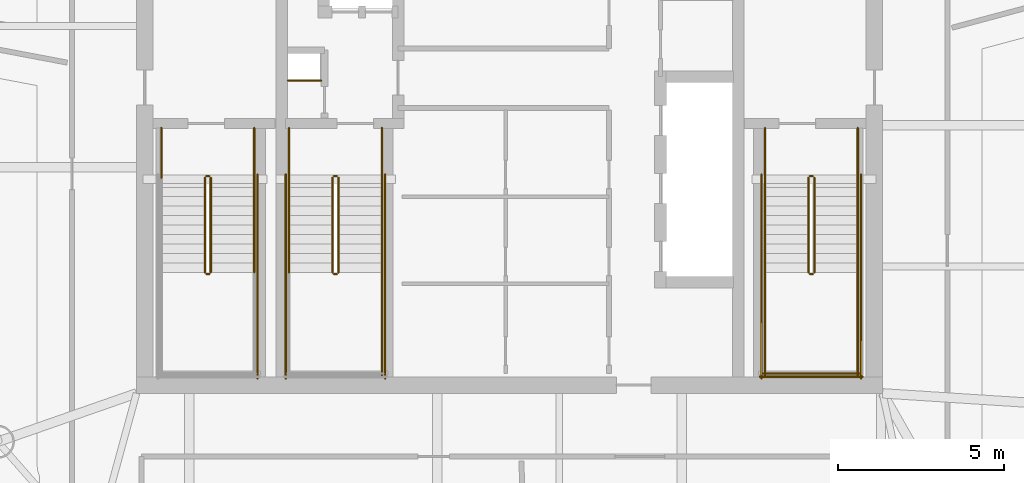
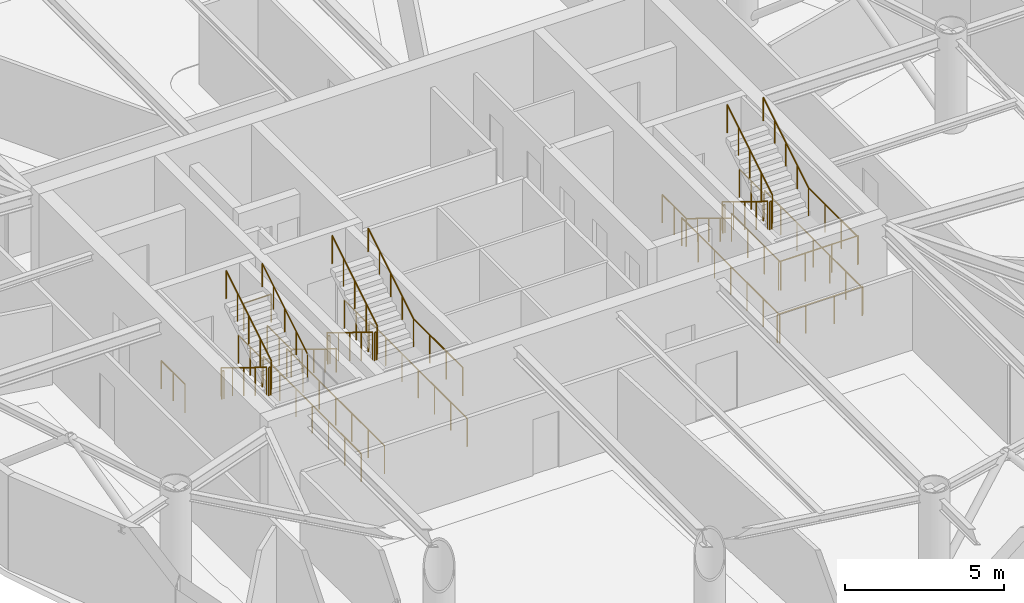
# One storey, part 19 of 20: 34 railings.
"""IFC4 building model written with IfcOpenShell, lengths in metres."""

from ifc_helpers import new_model, si_unit, direction, frame, origin, origin_2d, place, context, subcontext, project, spatial, circle, extrude, material, type_object, element, save


model = new_model("IFC4")

# Units and contexts
model_context = context("Model", 3, precision=1e-05, world=origin(), true_north=direction((0.0, 1.0)))
body_context = subcontext(model_context, "Body", "Model", "MODEL_VIEW")
ifc_project = project(units=[si_unit("LENGTHUNIT", "METRE"), si_unit("AREAUNIT", "SQUARE_METRE"), si_unit("VOLUMEUNIT", "CUBIC_METRE"), si_unit("PLANEANGLEUNIT", "RADIAN"), si_unit("MASSUNIT", "GRAM", prefix="KILO")], contexts=[model_context])

# Site, building, storey
site_placement = place(None, origin())
site = spatial("IfcSite", under=ifc_project, at=site_placement, CompositionType="ELEMENT")
building_placement = place(site_placement, origin())
building = spatial("IfcBuilding", under=site, at=building_placement, Name="Bramvorn Convention Spire", CompositionType="ELEMENT")
storey_placement = place(building_placement, frame((0.0, 0.0, 269.0)))
storey = spatial("IfcBuildingStorey", under=building, at=storey_placement, Name="L68", CompositionType="ELEMENT", Elevation=269.0)

# Railings
ifc_material_1 = material(Name="Painted Steel Balustrade & Guardrail", Category="steel")
railing_type_1 = type_object("IfcRailingType", Name="RL-STAIR-GUARD-1100", PredefinedType="GUARDRAIL", material=ifc_material_1)
railing_1_placement = place(storey_placement, frame((28.81005859375, 25.050048828125, 0.175048828125)))
element("IfcRailing", 1, at=railing_1_placement, inside=storey, type_object=railing_type_1, Name="L68 ST1 stair guard 1", PredefinedType="GUARDRAIL", context=body_context, shape_type="SweptSolid", body=[
    extrude(circle(Radius=0.02392578125, at=origin_2d()), frame((0.0, 0.0, 1.076171875), z_axis=(0.0, -0.852179220489, 0.52325001306), x_axis=(1.0, 0.0, 0.0)), (0.0, 0.0, 1.0), 3.344482421875),
    extrude(circle(Radius=0.02099609375, at=origin_2d()), origin(), (0.0, 0.0, 1.0), 1.052001953125),
    extrude(circle(Radius=0.02099609375, at=origin_2d()), frame((0.0, -0.71240234375, 0.4375)), (0.0, 0.0, 1.0), 1.052001953125),
    extrude(circle(Radius=0.02099609375, at=origin_2d()), frame((0.0, -1.425048828125, 0.875)), (0.0, 0.0, 1.0), 1.052001953125),
    extrude(circle(Radius=0.02099609375, at=origin_2d()), frame((0.0, -2.1376953125, 1.3125)), (0.0, 0.0, 1.0), 1.052001953125),
    extrude(circle(Radius=0.02099609375, at=origin_2d()), frame((0.0, -2.85009765625, 1.75)), (0.0, 0.0, 1.0), 1.052001953125),
])
railing_2_placement = place(storey_placement, frame((28.860107421875, 22.14990234375, 1.925048828125)))
element("IfcRailing", 2, at=railing_2_placement, inside=storey, type_object=railing_type_1, Name="L68 ST1 stair guard 2", PredefinedType="GUARDRAIL", context=body_context, shape_type="SweptSolid", body=[
    extrude(circle(Radius=0.02392578125, at=origin_2d()), frame((0.0, 0.0, 1.076171875), z_axis=(1.0, 0.0, 0.0), x_axis=(0.0, 1.0, 0.0)), (0.0, 0.0, 1.0), 0.079833984375),
    extrude(circle(Radius=0.02099609375, at=origin_2d()), origin(), (0.0, 0.0, 1.0), 1.052001953125),
    extrude(circle(Radius=0.02099609375, at=origin_2d()), frame((0.079833984375, 0.0, 0.0)), (0.0, 0.0, 1.0), 1.052001953125),
])
railing_3_placement = place(storey_placement, frame((28.989990234375, 22.199951171875, 2.10009765625)))
element("IfcRailing", 3, at=railing_3_placement, inside=storey, type_object=railing_type_1, Name="L68 ST1 stair guard 6", PredefinedType="GUARDRAIL", context=body_context, shape_type="SweptSolid", body=[
    extrude(circle(Radius=0.02392578125, at=origin_2d()), frame((0.0, 0.0, 1.076171875), z_axis=(0.0, 0.852179220489, 0.52325001306), x_axis=(-1.0, 0.0, 0.0)), (0.0, 0.0, 1.0), 3.344482421875),
    extrude(circle(Radius=0.02099609375, at=origin_2d()), origin(), (0.0, 0.0, 1.0), 1.052001953125),
    extrude(circle(Radius=0.02099609375, at=origin_2d()), frame((0.0, 0.71240234375, 0.4375)), (0.0, 0.0, 1.0), 1.052001953125),
    extrude(circle(Radius=0.02099609375, at=origin_2d()), frame((0.0, 1.425048828125, 0.875)), (0.0, 0.0, 1.0), 1.052001953125),
    extrude(circle(Radius=0.02099609375, at=origin_2d()), frame((0.0, 2.1376953125, 1.3125)), (0.0, 0.0, 1.0), 1.052001953125),
    extrude(circle(Radius=0.02099609375, at=origin_2d()), frame((0.0, 2.85009765625, 1.75)), (0.0, 0.0, 1.0), 1.052001953125),
])
railing_4_placement = place(storey_placement, frame((28.860107421875, 25.10009765625, 0.0)))
element("IfcRailing", 4, at=railing_4_placement, inside=storey, type_object=railing_type_1, Name="L68 ST1 stair guard 7", PredefinedType="GUARDRAIL", context=body_context, shape_type="SweptSolid", body=[
    extrude(circle(Radius=0.02392578125, at=origin_2d()), frame((0.0, 0.0, 1.076171875), z_axis=(1.0, 0.0, 0.0), x_axis=(0.0, 1.0, 0.0)), (0.0, 0.0, 1.0), 0.079833984375),
    extrude(circle(Radius=0.02099609375, at=origin_2d()), origin(), (0.0, 0.0, 1.0), 1.052001953125),
    extrude(circle(Radius=0.02099609375, at=origin_2d()), frame((0.079833984375, 0.0, 0.0)), (0.0, 0.0, 1.0), 1.052001953125),
])
for number, where, name in (
    (5, (27.5, 26.550048828125, 0.0), "L68 ST1 stair guard 8"),
    (6, (30.300048828125, 26.550048828125, 0.0), "L68 ST1 stair guard 9"),
):
    element("IfcRailing", number, at=place(storey_placement, frame(where)), inside=storey, type_object=railing_type_1, Name=name, PredefinedType="GUARDRAIL", context=body_context, shape_type="SweptSolid", body=[
        extrude(circle(Radius=0.02392578125, at=origin_2d()), frame((0.0, 0.0, 1.076171875), z_axis=(0.0, -1.0, 0.0), x_axis=(1.0, 0.0, 0.0)), (0.0, 0.0, 1.0), 1.5),
        extrude(circle(Radius=0.02099609375, at=origin_2d()), origin(), (0.0, 0.0, 1.0), 1.052001953125),
        extrude(circle(Radius=0.02099609375, at=origin_2d()), frame((0.0, -0.75, 0.0)), (0.0, 0.0, 1.0), 1.052001953125),
        extrude(circle(Radius=0.02099609375, at=origin_2d()), frame((0.0, -1.5, 0.0)), (0.0, 0.0, 1.0), 1.052001953125),
    ])
railing_5_placement = place(storey_placement, frame((30.39990234375, 25.14990234375, 0.0)))
element("IfcRailing", 7, at=railing_5_placement, inside=storey, type_object=railing_type_1, Name="L68 ST1 stair guard 11", PredefinedType="GUARDRAIL", context=body_context, shape_type="SweptSolid", body=[
    extrude(circle(Radius=0.02392578125, at=origin_2d()), frame((0.0, 0.0, 1.076171875), z_axis=(0.0, -1.0, 0.0), x_axis=(1.0, 0.0, 0.0)), (0.0, 0.0, 1.0), 6.14990234375),
    extrude(circle(Radius=0.02099609375, at=origin_2d()), origin(), (0.0, 0.0, 1.0), 1.052001953125),
    extrude(circle(Radius=0.02099609375, at=origin_2d()), frame((0.0, -1.02490234375, 0.0)), (0.0, 0.0, 1.0), 1.052001953125),
    extrude(circle(Radius=0.02099609375, at=origin_2d()), frame((0.0, -2.050048828125, 0.0)), (0.0, 0.0, 1.0), 1.052001953125),
    extrude(circle(Radius=0.02099609375, at=origin_2d()), frame((0.0, -3.074951171875, 0.0)), (0.0, 0.0, 1.0), 1.052001953125),
    extrude(circle(Radius=0.02099609375, at=origin_2d()), frame((0.0, -4.099853515625, 0.0)), (0.0, 0.0, 1.0), 1.052001953125),
    extrude(circle(Radius=0.02099609375, at=origin_2d()), frame((0.0, -5.125, 0.0)), (0.0, 0.0, 1.0), 1.052001953125),
    extrude(circle(Radius=0.02099609375, at=origin_2d()), frame((0.0, -6.14990234375, 0.0)), (0.0, 0.0, 1.0), 1.052001953125),
])
railing_6_placement = place(storey_placement, frame((47.010009765625, 25.050048828125, 0.175048828125)))
element("IfcRailing", 8, at=railing_6_placement, inside=storey, type_object=railing_type_1, Name="L68 ST2 stair guard 1", PredefinedType="GUARDRAIL", context=body_context, shape_type="SweptSolid", body=[
    extrude(circle(Radius=0.02392578125, at=origin_2d()), frame((0.0, 0.0, 1.076171875), z_axis=(0.0, -0.852179220489, 0.52325001306), x_axis=(1.0, 0.0, 0.0)), (0.0, 0.0, 1.0), 3.344482421875),
    extrude(circle(Radius=0.02099609375, at=origin_2d()), origin(), (0.0, 0.0, 1.0), 1.052001953125),
    extrude(circle(Radius=0.02099609375, at=origin_2d()), frame((0.0, -0.71240234375, 0.4375)), (0.0, 0.0, 1.0), 1.052001953125),
    extrude(circle(Radius=0.02099609375, at=origin_2d()), frame((0.0, -1.425048828125, 0.875)), (0.0, 0.0, 1.0), 1.052001953125),
    extrude(circle(Radius=0.02099609375, at=origin_2d()), frame((0.0, -2.1376953125, 1.3125)), (0.0, 0.0, 1.0), 1.052001953125),
    extrude(circle(Radius=0.02099609375, at=origin_2d()), frame((0.0, -2.85009765625, 1.75)), (0.0, 0.0, 1.0), 1.052001953125),
])
railing_7_placement = place(storey_placement, frame((47.06005859375, 22.14990234375, 1.925048828125)))
element("IfcRailing", 9, at=railing_7_placement, inside=storey, type_object=railing_type_1, Name="L68 ST2 stair guard 2", PredefinedType="GUARDRAIL", context=body_context, shape_type="SweptSolid", body=[
    extrude(circle(Radius=0.02392578125, at=origin_2d()), frame((0.0, 0.0, 1.076171875), z_axis=(1.0, 0.0, 0.0), x_axis=(0.0, 1.0, 0.0)), (0.0, 0.0, 1.0), 0.079833984375),
    extrude(circle(Radius=0.02099609375, at=origin_2d()), origin(), (0.0, 0.0, 1.0), 1.052001953125),
    extrude(circle(Radius=0.02099609375, at=origin_2d()), frame((0.079833984375, 0.0, 0.0)), (0.0, 0.0, 1.0), 1.052001953125),
])
for number, where, name in (
    (10, (45.699951171875, 22.199951171875, 1.925048828125), "L68 ST2 stair guard 3"),
    (11, (48.5, 22.199951171875, 1.925048828125), "L68 ST2 stair guard 4"),
):
    element("IfcRailing", number, at=place(storey_placement, frame(where)), inside=storey, type_object=railing_type_1, Name=name, PredefinedType="GUARDRAIL", context=body_context, shape_type="SweptSolid", body=[
        extrude(circle(Radius=0.02392578125, at=origin_2d()), frame((0.0, 0.0, 1.076171875), z_axis=(0.0, -1.0, 0.0), x_axis=(1.0, 0.0, 0.0)), (0.0, 0.0, 1.0), 3.099853515625),
        extrude(circle(Radius=0.02099609375, at=origin_2d()), origin(), (0.0, 0.0, 1.0), 1.052001953125),
        extrude(circle(Radius=0.02099609375, at=origin_2d()), frame((0.0, -1.033203125, 0.0)), (0.0, 0.0, 1.0), 1.052001953125),
        extrude(circle(Radius=0.02099609375, at=origin_2d()), frame((0.0, -2.066650390625, 0.0)), (0.0, 0.0, 1.0), 1.052001953125),
        extrude(circle(Radius=0.02099609375, at=origin_2d()), frame((0.0, -3.099853515625, 0.0)), (0.0, 0.0, 1.0), 1.052001953125),
    ])
railing_8_placement = place(storey_placement, frame((45.64990234375, 19.14990234375, 1.925048828125)))
element("IfcRailing", 12, at=railing_8_placement, inside=storey, type_object=railing_type_1, Name="L68 ST2 stair guard 5", PredefinedType="GUARDRAIL", context=body_context, shape_type="SweptSolid", body=[
    extrude(circle(Radius=0.02392578125, at=origin_2d()), frame((0.0, 0.0, 1.076171875), z_axis=(1.0, 0.0, 0.0), x_axis=(0.0, 1.0, 0.0)), (0.0, 0.0, 1.0), 2.900146484375),
    extrude(circle(Radius=0.02099609375, at=origin_2d()), origin(), (0.0, 0.0, 1.0), 1.052001953125),
    extrude(circle(Radius=0.02099609375, at=origin_2d()), frame((0.966796875, 0.0, 0.0)), (0.0, 0.0, 1.0), 1.052001953125),
    extrude(circle(Radius=0.02099609375, at=origin_2d()), frame((1.933349609375, 0.0, 0.0)), (0.0, 0.0, 1.0), 1.052001953125),
    extrude(circle(Radius=0.02099609375, at=origin_2d()), frame((2.900146484375, 0.0, 0.0)), (0.0, 0.0, 1.0), 1.052001953125),
])
railing_9_placement = place(storey_placement, frame((47.18994140625, 22.199951171875, 2.10009765625)))
element("IfcRailing", 13, at=railing_9_placement, inside=storey, type_object=railing_type_1, Name="L68 ST2 stair guard 6", PredefinedType="GUARDRAIL", context=body_context, shape_type="SweptSolid", body=[
    extrude(circle(Radius=0.02392578125, at=origin_2d()), frame((0.0, 0.0, 1.076171875), z_axis=(0.0, 0.852179220489, 0.52325001306), x_axis=(-1.0, 0.0, 0.0)), (0.0, 0.0, 1.0), 3.344482421875),
    extrude(circle(Radius=0.02099609375, at=origin_2d()), origin(), (0.0, 0.0, 1.0), 1.052001953125),
    extrude(circle(Radius=0.02099609375, at=origin_2d()), frame((0.0, 0.71240234375, 0.4375)), (0.0, 0.0, 1.0), 1.052001953125),
    extrude(circle(Radius=0.02099609375, at=origin_2d()), frame((0.0, 1.425048828125, 0.875)), (0.0, 0.0, 1.0), 1.052001953125),
    extrude(circle(Radius=0.02099609375, at=origin_2d()), frame((0.0, 2.1376953125, 1.3125)), (0.0, 0.0, 1.0), 1.052001953125),
    extrude(circle(Radius=0.02099609375, at=origin_2d()), frame((0.0, 2.85009765625, 1.75)), (0.0, 0.0, 1.0), 1.052001953125),
])
railing_10_placement = place(storey_placement, frame((47.06005859375, 25.10009765625, 0.0)))
element("IfcRailing", 14, at=railing_10_placement, inside=storey, type_object=railing_type_1, Name="L68 ST2 stair guard 7", PredefinedType="GUARDRAIL", context=body_context, shape_type="SweptSolid", body=[
    extrude(circle(Radius=0.02392578125, at=origin_2d()), frame((0.0, 0.0, 1.076171875), z_axis=(1.0, 0.0, 0.0), x_axis=(0.0, 1.0, 0.0)), (0.0, 0.0, 1.0), 0.079833984375),
    extrude(circle(Radius=0.02099609375, at=origin_2d()), origin(), (0.0, 0.0, 1.0), 1.052001953125),
    extrude(circle(Radius=0.02099609375, at=origin_2d()), frame((0.079833984375, 0.0, 0.0)), (0.0, 0.0, 1.0), 1.052001953125),
])
for number, where, name in (
    (15, (45.699951171875, 26.550048828125, 0.0), "L68 ST2 stair guard 8"),
    (16, (48.5, 26.550048828125, 0.0), "L68 ST2 stair guard 9"),
):
    element("IfcRailing", number, at=place(storey_placement, frame(where)), inside=storey, type_object=railing_type_1, Name=name, PredefinedType="GUARDRAIL", context=body_context, shape_type="SweptSolid", body=[
        extrude(circle(Radius=0.02392578125, at=origin_2d()), frame((0.0, 0.0, 1.076171875), z_axis=(0.0, -1.0, 0.0), x_axis=(1.0, 0.0, 0.0)), (0.0, 0.0, 1.0), 1.5),
        extrude(circle(Radius=0.02099609375, at=origin_2d()), origin(), (0.0, 0.0, 1.0), 1.052001953125),
        extrude(circle(Radius=0.02099609375, at=origin_2d()), frame((0.0, -0.75, 0.0)), (0.0, 0.0, 1.0), 1.052001953125),
        extrude(circle(Radius=0.02099609375, at=origin_2d()), frame((0.0, -1.5, 0.0)), (0.0, 0.0, 1.0), 1.052001953125),
    ])
for number, where, name in (
    (17, (45.60009765625, 25.14990234375, 0.0), "L68 ST2 stair guard 10"),
    (18, (48.60009765625, 25.14990234375, 0.0), "L68 ST2 stair guard 11"),
):
    element("IfcRailing", number, at=place(storey_placement, frame(where)), inside=storey, type_object=railing_type_1, Name=name, PredefinedType="GUARDRAIL", context=body_context, shape_type="SweptSolid", body=[
        extrude(circle(Radius=0.02392578125, at=origin_2d()), frame((0.0, 0.0, 1.076171875), z_axis=(0.0, -1.0, 0.0), x_axis=(1.0, 0.0, 0.0)), (0.0, 0.0, 1.0), 6.14990234375),
        extrude(circle(Radius=0.02099609375, at=origin_2d()), origin(), (0.0, 0.0, 1.0), 1.052001953125),
        extrude(circle(Radius=0.02099609375, at=origin_2d()), frame((0.0, -1.02490234375, 0.0)), (0.0, 0.0, 1.0), 1.052001953125),
        extrude(circle(Radius=0.02099609375, at=origin_2d()), frame((0.0, -2.050048828125, 0.0)), (0.0, 0.0, 1.0), 1.052001953125),
        extrude(circle(Radius=0.02099609375, at=origin_2d()), frame((0.0, -3.074951171875, 0.0)), (0.0, 0.0, 1.0), 1.052001953125),
        extrude(circle(Radius=0.02099609375, at=origin_2d()), frame((0.0, -4.099853515625, 0.0)), (0.0, 0.0, 1.0), 1.052001953125),
        extrude(circle(Radius=0.02099609375, at=origin_2d()), frame((0.0, -5.125, 0.0)), (0.0, 0.0, 1.0), 1.052001953125),
        extrude(circle(Radius=0.02099609375, at=origin_2d()), frame((0.0, -6.14990234375, 0.0)), (0.0, 0.0, 1.0), 1.052001953125),
    ])
railing_11_placement = place(storey_placement, frame((45.550048828125, 19.050048828125, 0.0)))
element("IfcRailing", 19, at=railing_11_placement, inside=storey, type_object=railing_type_1, Name="L68 ST2 stair guard 12", PredefinedType="GUARDRAIL", context=body_context, shape_type="SweptSolid", body=[
    extrude(circle(Radius=0.02392578125, at=origin_2d()), frame((0.0, 0.0, 1.076171875), z_axis=(1.0, 0.0, 0.0), x_axis=(0.0, 1.0, 0.0)), (0.0, 0.0, 1.0), 3.099853515625),
    extrude(circle(Radius=0.02099609375, at=origin_2d()), origin(), (0.0, 0.0, 1.0), 1.052001953125),
    extrude(circle(Radius=0.02099609375, at=origin_2d()), frame((1.033203125, 0.0, 0.0)), (0.0, 0.0, 1.0), 1.052001953125),
    extrude(circle(Radius=0.02099609375, at=origin_2d()), frame((2.066650390625, 0.0, 0.0)), (0.0, 0.0, 1.0), 1.052001953125),
    extrude(circle(Radius=0.02099609375, at=origin_2d()), frame((3.099853515625, 0.0, 0.0)), (0.0, 0.0, 1.0), 1.052001953125),
])
railing_12_placement = place(storey_placement, frame((32.659912109375, 25.050048828125, 0.175048828125)))
element("IfcRailing", 20, at=railing_12_placement, inside=storey, type_object=railing_type_1, Name="L68 ST3 stair guard 1", PredefinedType="GUARDRAIL", context=body_context, shape_type="SweptSolid", body=[
    extrude(circle(Radius=0.02392578125, at=origin_2d()), frame((0.0, 0.0, 1.076171875), z_axis=(0.0, -0.852179220489, 0.52325001306), x_axis=(1.0, 0.0, 0.0)), (0.0, 0.0, 1.0), 3.344482421875),
    extrude(circle(Radius=0.02099609375, at=origin_2d()), origin(), (0.0, 0.0, 1.0), 1.052001953125),
    extrude(circle(Radius=0.02099609375, at=origin_2d()), frame((0.0, -0.71240234375, 0.4375)), (0.0, 0.0, 1.0), 1.052001953125),
    extrude(circle(Radius=0.02099609375, at=origin_2d()), frame((0.0, -1.425048828125, 0.875)), (0.0, 0.0, 1.0), 1.052001953125),
    extrude(circle(Radius=0.02099609375, at=origin_2d()), frame((0.0, -2.1376953125, 1.3125)), (0.0, 0.0, 1.0), 1.052001953125),
    extrude(circle(Radius=0.02099609375, at=origin_2d()), frame((0.0, -2.85009765625, 1.75)), (0.0, 0.0, 1.0), 1.052001953125),
])
railing_13_placement = place(storey_placement, frame((32.7099609375, 22.14990234375, 1.925048828125)))
element("IfcRailing", 21, at=railing_13_placement, inside=storey, type_object=railing_type_1, Name="L68 ST3 stair guard 2", PredefinedType="GUARDRAIL", context=body_context, shape_type="SweptSolid", body=[
    extrude(circle(Radius=0.02392578125, at=origin_2d()), frame((0.0, 0.0, 1.076171875), z_axis=(1.0, 0.0, 0.0), x_axis=(0.0, 1.0, 0.0)), (0.0, 0.0, 1.0), 0.080078125),
    extrude(circle(Radius=0.02099609375, at=origin_2d()), origin(), (0.0, 0.0, 1.0), 1.052001953125),
    extrude(circle(Radius=0.02099609375, at=origin_2d()), frame((0.080078125, 0.0, 0.0)), (0.0, 0.0, 1.0), 1.052001953125),
])
railing_14_placement = place(storey_placement, frame((34.14990234375, 22.199951171875, 1.925048828125)))
element("IfcRailing", 22, at=railing_14_placement, inside=storey, type_object=railing_type_1, Name="L68 ST3 stair guard 4", PredefinedType="GUARDRAIL", context=body_context, shape_type="SweptSolid", body=[
    extrude(circle(Radius=0.02392578125, at=origin_2d()), frame((0.0, 0.0, 1.076171875), z_axis=(0.0, -1.0, 0.0), x_axis=(1.0, 0.0, 0.0)), (0.0, 0.0, 1.0), 3.099853515625),
    extrude(circle(Radius=0.02099609375, at=origin_2d()), origin(), (0.0, 0.0, 1.0), 1.052001953125),
    extrude(circle(Radius=0.02099609375, at=origin_2d()), frame((0.0, -1.033203125, 0.0)), (0.0, 0.0, 1.0), 1.052001953125),
    extrude(circle(Radius=0.02099609375, at=origin_2d()), frame((0.0, -2.066650390625, 0.0)), (0.0, 0.0, 1.0), 1.052001953125),
    extrude(circle(Radius=0.02099609375, at=origin_2d()), frame((0.0, -3.099853515625, 0.0)), (0.0, 0.0, 1.0), 1.052001953125),
])
railing_15_placement = place(storey_placement, frame((32.840087890625, 22.199951171875, 2.10009765625)))
element("IfcRailing", 23, at=railing_15_placement, inside=storey, type_object=railing_type_1, Name="L68 ST3 stair guard 6", PredefinedType="GUARDRAIL", context=body_context, shape_type="SweptSolid", body=[
    extrude(circle(Radius=0.02392578125, at=origin_2d()), frame((0.0, 0.0, 1.076171875), z_axis=(0.0, 0.852179220489, 0.52325001306), x_axis=(-1.0, 0.0, 0.0)), (0.0, 0.0, 1.0), 3.344482421875),
    extrude(circle(Radius=0.02099609375, at=origin_2d()), origin(), (0.0, 0.0, 1.0), 1.052001953125),
    extrude(circle(Radius=0.02099609375, at=origin_2d()), frame((0.0, 0.71240234375, 0.4375)), (0.0, 0.0, 1.0), 1.052001953125),
    extrude(circle(Radius=0.02099609375, at=origin_2d()), frame((0.0, 1.425048828125, 0.875)), (0.0, 0.0, 1.0), 1.052001953125),
    extrude(circle(Radius=0.02099609375, at=origin_2d()), frame((0.0, 2.1376953125, 1.3125)), (0.0, 0.0, 1.0), 1.052001953125),
    extrude(circle(Radius=0.02099609375, at=origin_2d()), frame((0.0, 2.85009765625, 1.75)), (0.0, 0.0, 1.0), 1.052001953125),
])
railing_16_placement = place(storey_placement, frame((32.7099609375, 25.10009765625, 0.0)))
element("IfcRailing", 24, at=railing_16_placement, inside=storey, type_object=railing_type_1, Name="L68 ST3 stair guard 7", PredefinedType="GUARDRAIL", context=body_context, shape_type="SweptSolid", body=[
    extrude(circle(Radius=0.02392578125, at=origin_2d()), frame((0.0, 0.0, 1.076171875), z_axis=(1.0, 0.0, 0.0), x_axis=(0.0, 1.0, 0.0)), (0.0, 0.0, 1.0), 0.080078125),
    extrude(circle(Radius=0.02099609375, at=origin_2d()), origin(), (0.0, 0.0, 1.0), 1.052001953125),
    extrude(circle(Radius=0.02099609375, at=origin_2d()), frame((0.080078125, 0.0, 0.0)), (0.0, 0.0, 1.0), 1.052001953125),
])
for number, where, name in (
    (25, (31.35009765625, 26.550048828125, 0.0), "L68 ST3 stair guard 8"),
    (26, (34.14990234375, 26.550048828125, 0.0), "L68 ST3 stair guard 9"),
):
    element("IfcRailing", number, at=place(storey_placement, frame(where)), inside=storey, type_object=railing_type_1, Name=name, PredefinedType="GUARDRAIL", context=body_context, shape_type="SweptSolid", body=[
        extrude(circle(Radius=0.02392578125, at=origin_2d()), frame((0.0, 0.0, 1.076171875), z_axis=(0.0, -1.0, 0.0), x_axis=(1.0, 0.0, 0.0)), (0.0, 0.0, 1.0), 1.5),
        extrude(circle(Radius=0.02099609375, at=origin_2d()), origin(), (0.0, 0.0, 1.0), 1.052001953125),
        extrude(circle(Radius=0.02099609375, at=origin_2d()), frame((0.0, -0.75, 0.0)), (0.0, 0.0, 1.0), 1.052001953125),
        extrude(circle(Radius=0.02099609375, at=origin_2d()), frame((0.0, -1.5, 0.0)), (0.0, 0.0, 1.0), 1.052001953125),
    ])
for number, where, name in (
    (27, (31.25, 25.14990234375, 0.0), "L68 ST3 stair guard 10"),
    (28, (34.25, 25.14990234375, 0.0), "L68 ST3 stair guard 11"),
):
    element("IfcRailing", number, at=place(storey_placement, frame(where)), inside=storey, type_object=railing_type_1, Name=name, PredefinedType="GUARDRAIL", context=body_context, shape_type="SweptSolid", body=[
        extrude(circle(Radius=0.02392578125, at=origin_2d()), frame((0.0, 0.0, 1.076171875), z_axis=(0.0, -1.0, 0.0), x_axis=(1.0, 0.0, 0.0)), (0.0, 0.0, 1.0), 6.14990234375),
        extrude(circle(Radius=0.02099609375, at=origin_2d()), origin(), (0.0, 0.0, 1.0), 1.052001953125),
        extrude(circle(Radius=0.02099609375, at=origin_2d()), frame((0.0, -1.02490234375, 0.0)), (0.0, 0.0, 1.0), 1.052001953125),
        extrude(circle(Radius=0.02099609375, at=origin_2d()), frame((0.0, -2.050048828125, 0.0)), (0.0, 0.0, 1.0), 1.052001953125),
        extrude(circle(Radius=0.02099609375, at=origin_2d()), frame((0.0, -3.074951171875, 0.0)), (0.0, 0.0, 1.0), 1.052001953125),
        extrude(circle(Radius=0.02099609375, at=origin_2d()), frame((0.0, -4.099853515625, 0.0)), (0.0, 0.0, 1.0), 1.052001953125),
        extrude(circle(Radius=0.02099609375, at=origin_2d()), frame((0.0, -5.125, 0.0)), (0.0, 0.0, 1.0), 1.052001953125),
        extrude(circle(Radius=0.02099609375, at=origin_2d()), frame((0.0, -6.14990234375, 0.0)), (0.0, 0.0, 1.0), 1.052001953125),
    ])
railing_17_placement = place(storey_placement, frame((31.320068359375, 27.97998046875, 0.0)))
element("IfcRailing", 29, at=railing_17_placement, inside=storey, type_object=railing_type_1, Name="L68 Telecom riser shaft opening safety guardrail", PredefinedType="GUARDRAIL", context=body_context, shape_type="SweptSolid", body=[
    extrude(circle(Radius=0.02392578125, at=origin_2d()), frame((0.0, 0.0, 1.076171875), z_axis=(1.0, 0.0, 0.0), x_axis=(0.0, 1.0, 0.0)), (0.0, 0.0, 1.0), 1.0),
    extrude(circle(Radius=0.02099609375, at=origin_2d()), origin(), (0.0, 0.0, 1.0), 1.052001953125),
    extrude(circle(Radius=0.02099609375, at=origin_2d()), frame((1.0, 0.0, 0.0)), (0.0, 0.0, 1.0), 1.052001953125),
])
ifc_material_2 = material(Name="Brushed Bronze Tubular Handrail", Category="aluminium")
railing_type_2 = type_object("IfcRailingType", Name="RL-STAIR-HR-920", PredefinedType="HANDRAIL", material=ifc_material_2)
railing_18_placement = place(storey_placement, frame((30.300048828125, 22.199951171875, 2.10009765625)))
element("IfcRailing", 30, at=railing_18_placement, inside=storey, type_object=railing_type_2, Name="L68 ST1 stair handrail 2", PredefinedType="HANDRAIL", context=body_context, shape_type="SweptSolid", body=[
    extrude(circle(Radius=0.02392578125, at=origin_2d()), frame((0.0, 0.0, 0.89599609375), z_axis=(0.0, 0.852179220489, 0.52325001306), x_axis=(-1.0, 0.0, 0.0)), (0.0, 0.0, 1.0), 3.344482421875),
    extrude(circle(Radius=0.02099609375, at=origin_2d()), origin(), (0.0, 0.0, 1.0), 0.871826171875),
    extrude(circle(Radius=0.02099609375, at=origin_2d()), frame((0.0, 0.71240234375, 0.4375)), (0.0, 0.0, 1.0), 0.871826171875),
    extrude(circle(Radius=0.02099609375, at=origin_2d()), frame((0.0, 1.425048828125, 0.875)), (0.0, 0.0, 1.0), 0.871826171875),
    extrude(circle(Radius=0.02099609375, at=origin_2d()), frame((0.0, 2.1376953125, 1.3125)), (0.0, 0.0, 1.0), 0.871826171875),
    extrude(circle(Radius=0.02099609375, at=origin_2d()), frame((0.0, 2.85009765625, 1.75)), (0.0, 0.0, 1.0), 0.871826171875),
])
railing_19_placement = place(storey_placement, frame((45.699951171875, 25.050048828125, 0.175048828125)))
element("IfcRailing", 31, at=railing_19_placement, inside=storey, type_object=railing_type_2, Name="L68 ST2 stair handrail 1", PredefinedType="HANDRAIL", context=body_context, shape_type="SweptSolid", body=[
    extrude(circle(Radius=0.02392578125, at=origin_2d()), frame((0.0, 0.0, 0.89599609375), z_axis=(0.0, -0.852179220489, 0.52325001306), x_axis=(1.0, 0.0, 0.0)), (0.0, 0.0, 1.0), 3.344482421875),
    extrude(circle(Radius=0.02099609375, at=origin_2d()), origin(), (0.0, 0.0, 1.0), 0.871826171875),
    extrude(circle(Radius=0.02099609375, at=origin_2d()), frame((0.0, -0.71240234375, 0.4375)), (0.0, 0.0, 1.0), 0.871826171875),
    extrude(circle(Radius=0.02099609375, at=origin_2d()), frame((0.0, -1.425048828125, 0.875)), (0.0, 0.0, 1.0), 0.871826171875),
    extrude(circle(Radius=0.02099609375, at=origin_2d()), frame((0.0, -2.1376953125, 1.3125)), (0.0, 0.0, 1.0), 0.871826171875),
    extrude(circle(Radius=0.02099609375, at=origin_2d()), frame((0.0, -2.85009765625, 1.75)), (0.0, 0.0, 1.0), 0.871826171875),
])
railing_20_placement = place(storey_placement, frame((48.5, 22.199951171875, 2.10009765625)))
element("IfcRailing", 32, at=railing_20_placement, inside=storey, type_object=railing_type_2, Name="L68 ST2 stair handrail 2", PredefinedType="HANDRAIL", context=body_context, shape_type="SweptSolid", body=[
    extrude(circle(Radius=0.02392578125, at=origin_2d()), frame((0.0, 0.0, 0.89599609375), z_axis=(0.0, 0.852179220489, 0.52325001306), x_axis=(-1.0, 0.0, 0.0)), (0.0, 0.0, 1.0), 3.344482421875),
    extrude(circle(Radius=0.02099609375, at=origin_2d()), origin(), (0.0, 0.0, 1.0), 0.871826171875),
    extrude(circle(Radius=0.02099609375, at=origin_2d()), frame((0.0, 0.71240234375, 0.4375)), (0.0, 0.0, 1.0), 0.871826171875),
    extrude(circle(Radius=0.02099609375, at=origin_2d()), frame((0.0, 1.425048828125, 0.875)), (0.0, 0.0, 1.0), 0.871826171875),
    extrude(circle(Radius=0.02099609375, at=origin_2d()), frame((0.0, 2.1376953125, 1.3125)), (0.0, 0.0, 1.0), 0.871826171875),
    extrude(circle(Radius=0.02099609375, at=origin_2d()), frame((0.0, 2.85009765625, 1.75)), (0.0, 0.0, 1.0), 0.871826171875),
])
railing_21_placement = place(storey_placement, frame((31.35009765625, 25.050048828125, 0.175048828125)))
element("IfcRailing", 33, at=railing_21_placement, inside=storey, type_object=railing_type_2, Name="L68 ST3 stair handrail 1", PredefinedType="HANDRAIL", context=body_context, shape_type="SweptSolid", body=[
    extrude(circle(Radius=0.02392578125, at=origin_2d()), frame((0.0, 0.0, 0.89599609375), z_axis=(0.0, -0.852179220489, 0.52325001306), x_axis=(1.0, 0.0, 0.0)), (0.0, 0.0, 1.0), 3.344482421875),
    extrude(circle(Radius=0.02099609375, at=origin_2d()), origin(), (0.0, 0.0, 1.0), 0.871826171875),
    extrude(circle(Radius=0.02099609375, at=origin_2d()), frame((0.0, -0.71240234375, 0.4375)), (0.0, 0.0, 1.0), 0.871826171875),
    extrude(circle(Radius=0.02099609375, at=origin_2d()), frame((0.0, -1.425048828125, 0.875)), (0.0, 0.0, 1.0), 0.871826171875),
    extrude(circle(Radius=0.02099609375, at=origin_2d()), frame((0.0, -2.1376953125, 1.3125)), (0.0, 0.0, 1.0), 0.871826171875),
    extrude(circle(Radius=0.02099609375, at=origin_2d()), frame((0.0, -2.85009765625, 1.75)), (0.0, 0.0, 1.0), 0.871826171875),
])
railing_22_placement = place(storey_placement, frame((34.14990234375, 22.199951171875, 2.10009765625)))
element("IfcRailing", 34, at=railing_22_placement, inside=storey, type_object=railing_type_2, Name="L68 ST3 stair handrail 2", PredefinedType="HANDRAIL", context=body_context, shape_type="SweptSolid", body=[
    extrude(circle(Radius=0.02392578125, at=origin_2d()), frame((0.0, 0.0, 0.89599609375), z_axis=(0.0, 0.852179220489, 0.52325001306), x_axis=(-1.0, 0.0, 0.0)), (0.0, 0.0, 1.0), 3.344482421875),
    extrude(circle(Radius=0.02099609375, at=origin_2d()), origin(), (0.0, 0.0, 1.0), 0.871826171875),
    extrude(circle(Radius=0.02099609375, at=origin_2d()), frame((0.0, 0.71240234375, 0.4375)), (0.0, 0.0, 1.0), 0.871826171875),
    extrude(circle(Radius=0.02099609375, at=origin_2d()), frame((0.0, 1.425048828125, 0.875)), (0.0, 0.0, 1.0), 0.871826171875),
    extrude(circle(Radius=0.02099609375, at=origin_2d()), frame((0.0, 2.1376953125, 1.3125)), (0.0, 0.0, 1.0), 0.871826171875),
    extrude(circle(Radius=0.02099609375, at=origin_2d()), frame((0.0, 2.85009765625, 1.75)), (0.0, 0.0, 1.0), 0.871826171875),
])

save(model, "model.ifc")
